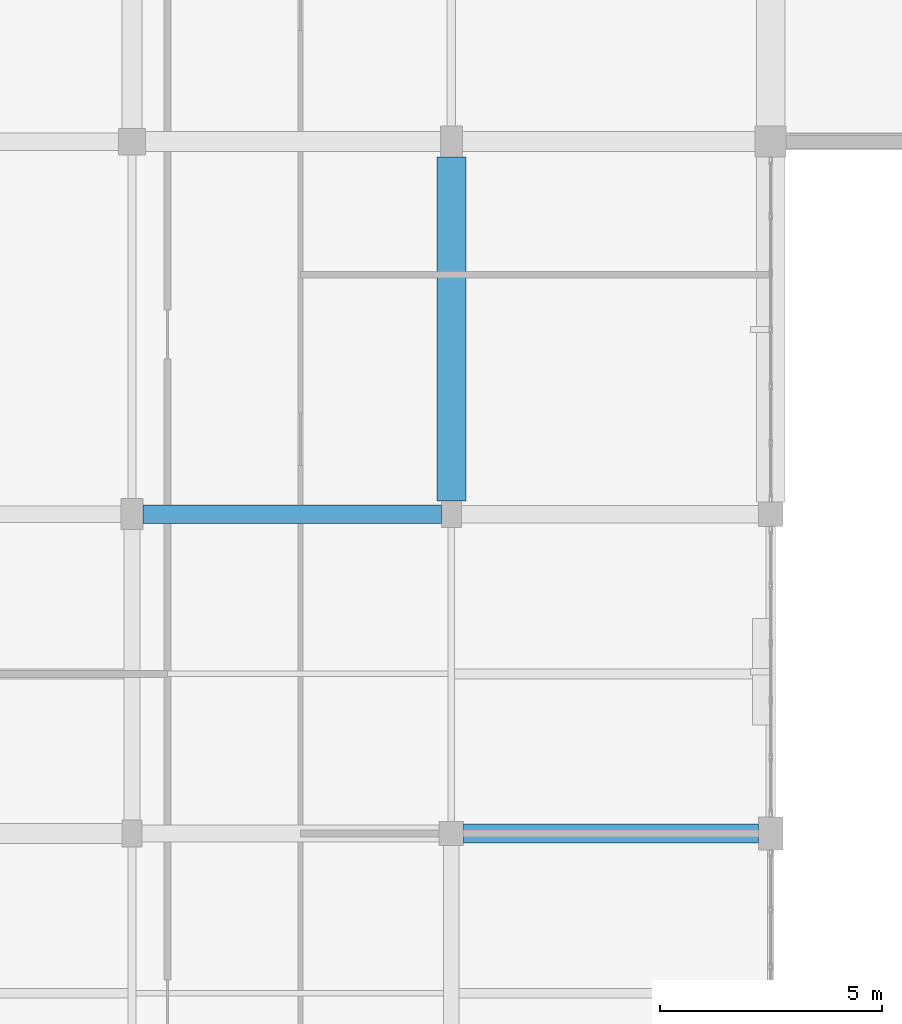
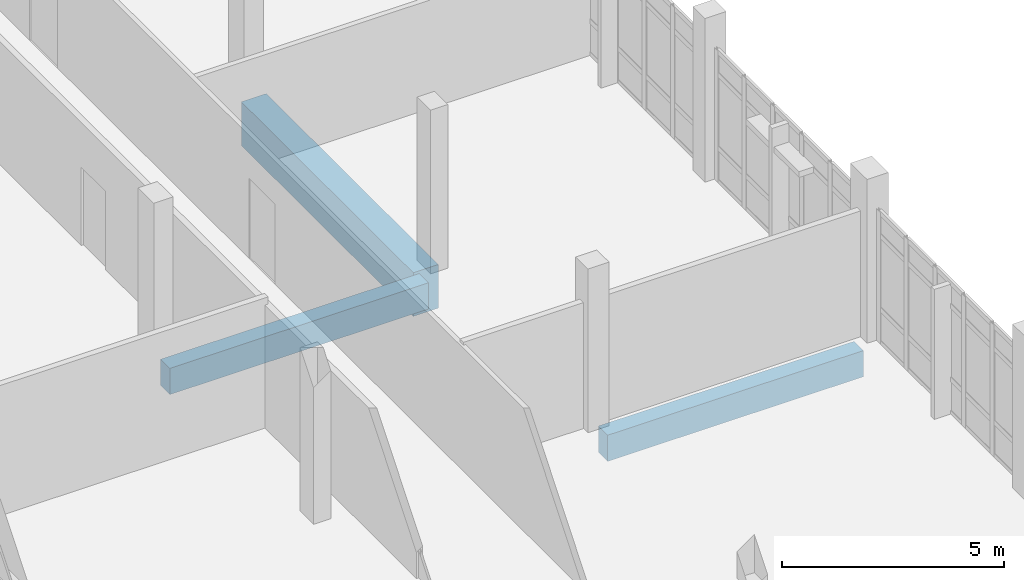
# One storey, part 21 of 57: 3 beams.
"""IFC4 building model written with IfcOpenShell, lengths in metres."""

from ifc_helpers import new_model, si_unit, direction, frame, origin, origin_2d, place, context, subcontext, project, spatial, rectangle, extrude, material, material_profile, profile_set, type_object, element, save


model = new_model("IFC4")

# Units and contexts
model_context = context("Model", 3, precision=1e-05, world=origin(), true_north=direction((0.0, 1.0)))
body_context = subcontext(model_context, "Body", "Model", "MODEL_VIEW")
ifc_project = project(units=[si_unit("LENGTHUNIT", "METRE"), si_unit("AREAUNIT", "SQUARE_METRE"), si_unit("VOLUMEUNIT", "CUBIC_METRE"), si_unit("PLANEANGLEUNIT", "RADIAN"), si_unit("MASSUNIT", "GRAM", prefix="KILO")], contexts=[model_context])

# Site, building, storey
site_placement = place(None, origin())
site = spatial("IfcSite", under=ifc_project, at=site_placement, CompositionType="ELEMENT")
building_placement = place(site_placement, origin())
building = spatial("IfcBuilding", under=site, at=building_placement, Name="Kalluvel Institute of Natural Sciences", CompositionType="ELEMENT")
storey_placement = place(building_placement, frame((0.0, 0.0, 23.39990234375)))
storey = spatial("IfcBuildingStorey", under=building, at=storey_placement, Name="L05", CompositionType="ELEMENT", Elevation=23.39990234375)

# Beams
ifc_material_1 = material(Name="Concrete M40", Category="concrete")
ifc_material_profile_1 = material_profile(ifc_material_1, rectangle(XDim=0.419921875, YDim=0.719970703125, at=origin_2d()), Name="RCB 420x720")
ifc_profile_set_1 = profile_set([ifc_material_profile_1], Name="Concrete M40")
beam_type_1 = type_object("IfcBeamType", Name="BM-RC420x720", PredefinedType="BEAM", material=ifc_profile_set_1)
beam_1_placement = place(storey_placement, frame((28.675048828125, 78.800048828125, -0.659912109375), z_axis=(1.0, 0.0, 0.0), x_axis=(0.0, 1.0, 0.0)))
element("IfcBeam", 1, at=beam_1_placement, inside=storey, type_object=beam_type_1, Name="L05 girder GIR-L05-EW-X284-Y788", PredefinedType="BEAM", context=body_context, shape_type="SweptSolid", body=[
    extrude(rectangle(XDim=0.419921875, YDim=0.719970703125, at=origin_2d()), origin(), (0.0, 0.0, 1.0), 6.64990234375),
])
beam_2_placement = place(storey_placement, frame((21.449951171875, 86.0, -0.659912109375), z_axis=(1.0, 0.0, 0.0), x_axis=(0.0, 1.0, 0.0)))
element("IfcBeam", 2, at=beam_2_placement, inside=storey, type_object=beam_type_1, Name="L05 girder GIR-L05-EW-X212-Y860", PredefinedType="BEAM", context=body_context, shape_type="SweptSolid", body=[
    extrude(rectangle(XDim=0.419921875, YDim=0.719970703125, at=origin_2d()), origin(), (0.0, 0.0, 1.0), 6.72509765625),
])
ifc_material_2 = material(Name="Concrete M50", Category="concrete")
ifc_material_profile_2 = material_profile(ifc_material_2, rectangle(XDim=0.64990234375, YDim=1.199951171875, at=origin_2d()), Name="RCB 650x1200")
ifc_profile_set_2 = profile_set([ifc_material_profile_2], Name="Concrete M50")
beam_type_2 = type_object("IfcBeamType", Name="BM-RC650x1200", PredefinedType="BEAM", material=ifc_profile_set_2)
beam_3_placement = place(storey_placement, frame((28.39990234375, 86.300048828125, -0.89990234375), z_axis=(0.0, 1.0, 0.0), x_axis=(-1.0, 0.0, 0.0)))
element("IfcBeam", 3, at=beam_3_placement, inside=storey, type_object=beam_type_2, Name="L05 girder GIR-L05-NS-X284-Y860", PredefinedType="BEAM", context=body_context, shape_type="SweptSolid", body=[
    extrude(rectangle(XDim=0.64990234375, YDim=1.199951171875, at=origin_2d()), origin(), (0.0, 0.0, 1.0), 7.75),
])

save(model, "model.ifc")
